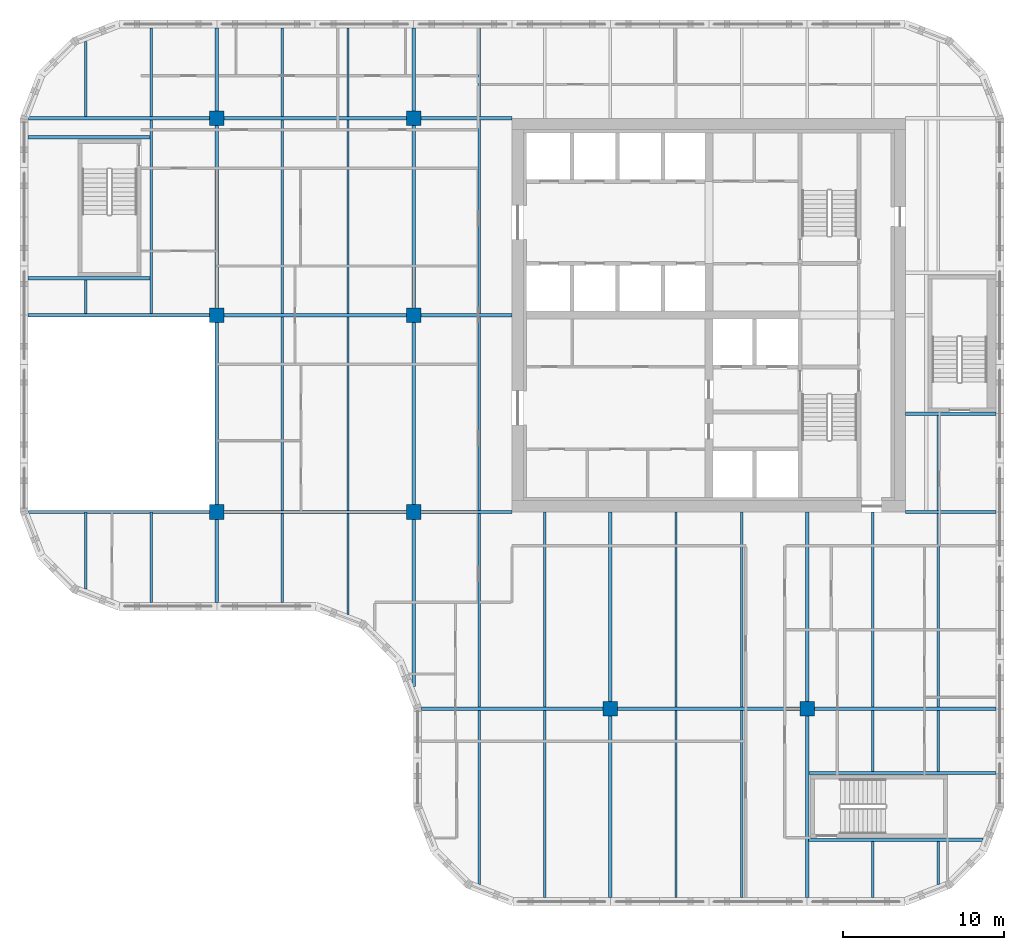
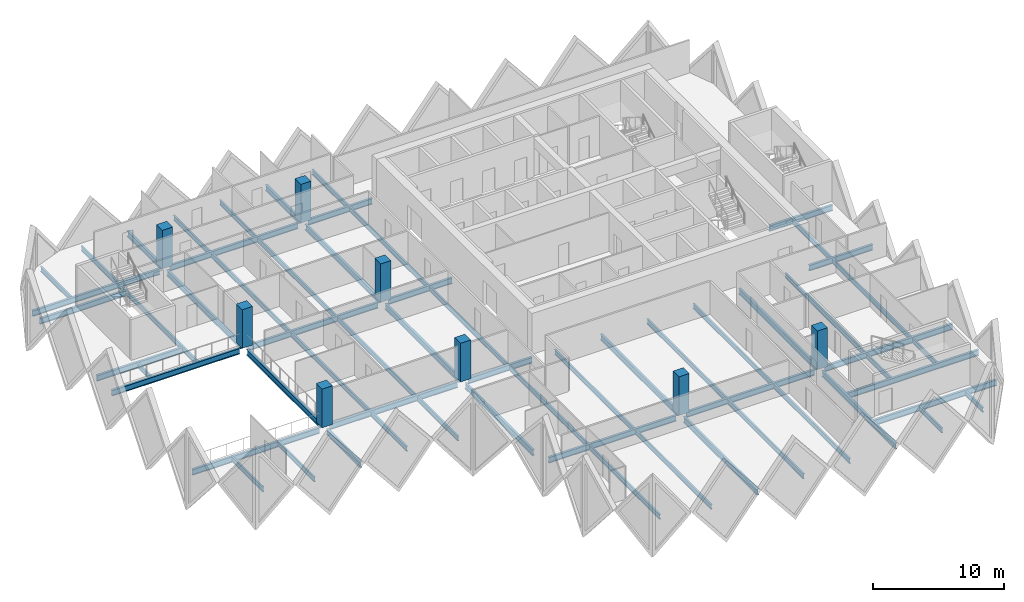
# One storey, part 1 of 12: 62 beams, 8 columns.
"""IFC4 building model written with IfcOpenShell, lengths in metres."""

from ifc_helpers import new_model, si_unit, direction, frame, origin, origin_2d, place, context, subcontext, project, spatial, rectangle, i_section, extrude, material, material_profile, profile_set, type_object, element, save


model = new_model("IFC4")

# Units and contexts
model_context = context("Model", 3, precision=1e-05, world=origin(), true_north=direction((0.0, 1.0)))
body_context = subcontext(model_context, "Body", "Model", "MODEL_VIEW")
ifc_project = project(units=[si_unit("LENGTHUNIT", "METRE"), si_unit("AREAUNIT", "SQUARE_METRE"), si_unit("VOLUMEUNIT", "CUBIC_METRE"), si_unit("PLANEANGLEUNIT", "RADIAN"), si_unit("MASSUNIT", "GRAM", prefix="KILO")], contexts=[model_context])

# Site, building, storey
site_placement = place(None, origin())
site = spatial("IfcSite", under=ifc_project, at=site_placement, CompositionType="ELEMENT")
building_placement = place(site_placement, origin())
building = spatial("IfcBuilding", under=site, at=building_placement, Name="Tessera Gate Towers", CompositionType="ELEMENT")
storey_placement = place(building_placement, frame((0.0, 0.0, 139.199951171875)))
storey = spatial("IfcBuildingStorey", under=building, at=storey_placement, Name="L34", CompositionType="ELEMENT", Elevation=139.199951171875)

# Columns
ifc_material_1 = material(Name="Concrete C70/85", Category="concrete")
ifc_material_profile_1 = material_profile(ifc_material_1, rectangle(XDim=0.89990234375, YDim=0.89990234375, at=origin_2d()), Name="RC 900x900")
ifc_profile_set_1 = profile_set([ifc_material_profile_1], Name="Concrete C70/85")
column_type = type_object("IfcColumnType", Name="COLUMN RC 900x900", PredefinedType="COLUMN", material=ifc_profile_set_1)
for number, where, z_axis, x_axis, name in (
    (1, (12.199951171875, 24.39990234375, 0.0), (0.0, 0.0, 1.0), (1.0, 0.0, 0.0), "T1-COL-2C-L34"),
    (2, (12.199951171875, 36.60009765625, 0.0), (0.0, 0.0, 1.0), (1.0, 0.0, 0.0), "T1-COL-2D-L34"),
    (3, (12.199951171875, 48.800048828125, 0.0), (0.0, 0.0, 1.0), (1.0, 0.0, 0.0), "T1-COL-2E-L34"),
    (4, (24.39990234375, 24.39990234375, 0.0), (0.0, 0.0, 1.0), (1.0, 0.0, 0.0), "T1-COL-3C-L34"),
    (5, (24.39990234375, 36.60009765625, 0.0), (0.0, 0.0, 1.0), (1.0, 0.0, 0.0), "T1-COL-3D-L34"),
    (6, (24.39990234375, 48.800048828125, 0.0), (0.0, 0.0, 1.0), (1.0, 0.0, 0.0), "T1-COL-3E-L34"),
    (7, (36.60009765625, 12.199951171875, 0.0), (0.0, 0.0, 1.0), (1.0, 0.0, 0.0), "T1-COL-4B-L34"),
    (8, (48.800048828125, 12.199951171875, 0.0), (0.0, 0.0, 1.0), (1.0, 0.0, 0.0), "T1-COL-5B-L34"),
):
    element("IfcColumn", number, at=place(storey_placement, frame(where, z_axis=z_axis, x_axis=x_axis)), inside=storey, type_object=column_type, Name=name, PredefinedType="COLUMN", context=body_context, shape_type="SweptSolid", body=[
        extrude(rectangle(XDim=0.89990234375, YDim=0.89990234375, at=origin_2d()), origin(), (0.0, 0.0, 1.0), 3.60009765625),
    ])

# Beams
ifc_material_2 = material(Name="Steel 350W", Category="steel")
ifc_material_profile_2 = material_profile(ifc_material_2, i_section(OverallWidth=0.208984375, OverallDepth=0.532958984375, WebThickness=0.01025390625, FlangeThickness=0.015625, at=origin_2d()), Name="W530x92")
ifc_profile_set_2 = profile_set([ifc_material_profile_2], Name="Steel 350W")
beam_type_1 = type_object("IfcBeamType", Name="FLOOR GIRDER W530x92", PredefinedType="BEAM", material=ifc_profile_set_2)
beam_1_placement = place(storey_placement, frame((24.89892578125, 12.199951171875, -0.466552734375), z_axis=(1.0, 0.0, 0.0), x_axis=(0.0, 1.0, 0.0)))
element("IfcBeam", 9, at=beam_1_placement, inside=storey, type_object=beam_type_1, Name="T1-GD-L34-4074", PredefinedType="BEAM", context=body_context, shape_type="SweptSolid", body=[
    extrude(i_section(OverallWidth=0.208984375, OverallDepth=0.532958984375, WebThickness=0.01025390625, FlangeThickness=0.015625, at=origin_2d()), origin(), (0.0, 0.0, 1.0), 11.2509765625),
])
beam_2_placement = place(storey_placement, frame((37.050048828125, 12.199951171875, -0.466552734375), z_axis=(1.0, 0.0, 0.0), x_axis=(0.0, 1.0, 0.0)))
element("IfcBeam", 10, at=beam_2_placement, inside=storey, type_object=beam_type_1, Name="T1-GD-L34-4075", PredefinedType="BEAM", context=body_context, shape_type="SweptSolid", body=[
    extrude(i_section(OverallWidth=0.208984375, OverallDepth=0.532958984375, WebThickness=0.01025390625, FlangeThickness=0.015625, at=origin_2d()), origin(), (0.0, 0.0, 1.0), 11.300048828125),
])
beam_3_placement = place(storey_placement, frame((49.25, 12.199951171875, -0.466552734375), z_axis=(1.0, 0.0, 0.0), x_axis=(0.0, 1.0, 0.0)))
element("IfcBeam", 11, at=beam_3_placement, inside=storey, type_object=beam_type_1, Name="T1-GD-L34-4076", PredefinedType="BEAM", context=body_context, shape_type="SweptSolid", body=[
    extrude(i_section(OverallWidth=0.208984375, OverallDepth=0.532958984375, WebThickness=0.01025390625, FlangeThickness=0.015625, at=origin_2d()), origin(), (0.0, 0.0, 1.0), 11.2509765625),
])
beam_4_placement = place(storey_placement, frame((0.534912109375, 24.39990234375, -0.466552734375), z_axis=(1.0, 0.0, 0.0), x_axis=(0.0, 1.0, 0.0)))
element("IfcBeam", 12, at=beam_4_placement, inside=storey, type_object=beam_type_1, Name="T1-GD-L34-4077", PredefinedType="BEAM", context=body_context, shape_type="SweptSolid", body=[
    extrude(i_section(OverallWidth=0.208984375, OverallDepth=0.532958984375, WebThickness=0.01025390625, FlangeThickness=0.015625, at=origin_2d()), origin(), (0.0, 0.0, 1.0), 11.215087890625),
])
beam_5_placement = place(storey_placement, frame((12.64990234375, 24.39990234375, -0.466552734375), z_axis=(1.0, 0.0, 0.0), x_axis=(0.0, 1.0, 0.0)))
element("IfcBeam", 13, at=beam_5_placement, inside=storey, type_object=beam_type_1, Name="T1-GD-L34-4078", PredefinedType="BEAM", context=body_context, shape_type="SweptSolid", body=[
    extrude(i_section(OverallWidth=0.208984375, OverallDepth=0.532958984375, WebThickness=0.01025390625, FlangeThickness=0.015625, at=origin_2d()), origin(), (0.0, 0.0, 1.0), 11.300048828125),
])
beam_6_placement = place(storey_placement, frame((24.85009765625, 24.39990234375, -0.466552734375), z_axis=(1.0, 0.0, 0.0), x_axis=(0.0, 1.0, 0.0)))
element("IfcBeam", 14, at=beam_6_placement, inside=storey, type_object=beam_type_1, Name="T1-GD-L34-4079", PredefinedType="BEAM", context=body_context, shape_type="SweptSolid", body=[
    extrude(i_section(OverallWidth=0.208984375, OverallDepth=0.532958984375, WebThickness=0.01025390625, FlangeThickness=0.015625, at=origin_2d()), origin(), (0.0, 0.0, 1.0), 5.64892578125),
])
beam_7_placement = place(storey_placement, frame((54.90087890625, 24.39990234375, -0.466552734375), z_axis=(1.0, 0.0, 0.0), x_axis=(0.0, 1.0, 0.0)))
element("IfcBeam", 15, at=beam_7_placement, inside=storey, type_object=beam_type_1, Name="T1-GD-L34-4080", PredefinedType="BEAM", context=body_context, shape_type="SweptSolid", body=[
    extrude(i_section(OverallWidth=0.208984375, OverallDepth=0.532958984375, WebThickness=0.01025390625, FlangeThickness=0.015625, at=origin_2d()), origin(), (0.0, 0.0, 1.0), 5.60009765625),
])
beam_8_placement = place(storey_placement, frame((0.4990234375, 36.60009765625, -0.466552734375), z_axis=(1.0, 0.0, 0.0), x_axis=(0.0, 1.0, 0.0)))
element("IfcBeam", 16, at=beam_8_placement, inside=storey, type_object=beam_type_1, Name="T1-GD-L34-4081", PredefinedType="BEAM", context=body_context, shape_type="SweptSolid", body=[
    extrude(i_section(OverallWidth=0.208984375, OverallDepth=0.532958984375, WebThickness=0.01025390625, FlangeThickness=0.015625, at=origin_2d()), origin(), (0.0, 0.0, 1.0), 11.2509765625),
])
beam_9_placement = place(storey_placement, frame((12.64990234375, 36.60009765625, -0.466552734375), z_axis=(1.0, 0.0, 0.0), x_axis=(0.0, 1.0, 0.0)))
element("IfcBeam", 17, at=beam_9_placement, inside=storey, type_object=beam_type_1, Name="T1-GD-L34-4082", PredefinedType="BEAM", context=body_context, shape_type="SweptSolid", body=[
    extrude(i_section(OverallWidth=0.208984375, OverallDepth=0.532958984375, WebThickness=0.01025390625, FlangeThickness=0.015625, at=origin_2d()), origin(), (0.0, 0.0, 1.0), 11.300048828125),
])
beam_10_placement = place(storey_placement, frame((24.85009765625, 36.60009765625, -0.466552734375), z_axis=(1.0, 0.0, 0.0), x_axis=(0.0, 1.0, 0.0)))
element("IfcBeam", 18, at=beam_10_placement, inside=storey, type_object=beam_type_1, Name="T1-GD-L34-4083", PredefinedType="BEAM", context=body_context, shape_type="SweptSolid", body=[
    extrude(i_section(OverallWidth=0.208984375, OverallDepth=0.532958984375, WebThickness=0.01025390625, FlangeThickness=0.015625, at=origin_2d()), origin(), (0.0, 0.0, 1.0), 5.65087890625),
])
beam_11_placement = place(storey_placement, frame((0.534912109375, 48.800048828125, -0.466552734375), z_axis=(1.0, 0.0, 0.0), x_axis=(0.0, 1.0, 0.0)))
element("IfcBeam", 19, at=beam_11_placement, inside=storey, type_object=beam_type_1, Name="T1-GD-L34-4085", PredefinedType="BEAM", context=body_context, shape_type="SweptSolid", body=[
    extrude(i_section(OverallWidth=0.208984375, OverallDepth=0.532958984375, WebThickness=0.01025390625, FlangeThickness=0.015625, at=origin_2d()), origin(), (0.0, 0.0, 1.0), 11.215087890625),
])
beam_12_placement = place(storey_placement, frame((12.64990234375, 48.800048828125, -0.466552734375), z_axis=(1.0, 0.0, 0.0), x_axis=(0.0, 1.0, 0.0)))
element("IfcBeam", 20, at=beam_12_placement, inside=storey, type_object=beam_type_1, Name="T1-GD-L34-4086", PredefinedType="BEAM", context=body_context, shape_type="SweptSolid", body=[
    extrude(i_section(OverallWidth=0.208984375, OverallDepth=0.532958984375, WebThickness=0.01025390625, FlangeThickness=0.015625, at=origin_2d()), origin(), (0.0, 0.0, 1.0), 11.300048828125),
])
beam_13_placement = place(storey_placement, frame((24.85009765625, 48.800048828125, -0.466552734375), z_axis=(1.0, 0.0, 0.0), x_axis=(0.0, 1.0, 0.0)))
element("IfcBeam", 21, at=beam_13_placement, inside=storey, type_object=beam_type_1, Name="T1-GD-L34-4087", PredefinedType="BEAM", context=body_context, shape_type="SweptSolid", body=[
    extrude(i_section(OverallWidth=0.208984375, OverallDepth=0.532958984375, WebThickness=0.01025390625, FlangeThickness=0.015625, at=origin_2d()), origin(), (0.0, 0.0, 1.0), 5.64892578125),
])
beam_14_placement = place(storey_placement, frame((12.199951171875, 18.799072265625, -0.466552734375), z_axis=(0.0, 1.0, 0.0), x_axis=(-1.0, 0.0, 0.0)))
element("IfcBeam", 22, at=beam_14_placement, inside=storey, type_object=beam_type_1, Name="T1-GD-L34-4089", PredefinedType="BEAM", context=body_context, shape_type="SweptSolid", body=[
    extrude(i_section(OverallWidth=0.208984375, OverallDepth=0.532958984375, WebThickness=0.01025390625, FlangeThickness=0.015625, at=origin_2d()), origin(), (0.0, 0.0, 1.0), 5.15087890625),
])
beam_15_placement = place(storey_placement, frame((12.199951171875, 24.85009765625, -0.466552734375), z_axis=(0.0, 1.0, 0.0), x_axis=(-1.0, 0.0, 0.0)))
element("IfcBeam", 23, at=beam_15_placement, inside=storey, type_object=beam_type_1, Name="T1-GD-L34-4090", PredefinedType="BEAM", context=body_context, shape_type="SweptSolid", body=[
    extrude(i_section(OverallWidth=0.208984375, OverallDepth=0.532958984375, WebThickness=0.01025390625, FlangeThickness=0.015625, at=origin_2d()), origin(), (0.0, 0.0, 1.0), 11.2998046875),
])
beam_16_placement = place(storey_placement, frame((12.199951171875, 37.050048828125, -0.466552734375), z_axis=(0.0, 1.0, 0.0), x_axis=(-1.0, 0.0, 0.0)))
element("IfcBeam", 24, at=beam_16_placement, inside=storey, type_object=beam_type_1, Name="T1-GD-L34-4091", PredefinedType="BEAM", context=body_context, shape_type="SweptSolid", body=[
    extrude(i_section(OverallWidth=0.208984375, OverallDepth=0.532958984375, WebThickness=0.01025390625, FlangeThickness=0.015625, at=origin_2d()), origin(), (0.0, 0.0, 1.0), 11.300048828125),
])
beam_17_placement = place(storey_placement, frame((12.199951171875, 49.25, -0.466552734375), z_axis=(0.0, 1.0, 0.0), x_axis=(-1.0, 0.0, 0.0)))
element("IfcBeam", 25, at=beam_17_placement, inside=storey, type_object=beam_type_1, Name="T1-GD-L34-4092", PredefinedType="BEAM", context=body_context, shape_type="SweptSolid", body=[
    extrude(i_section(OverallWidth=0.208984375, OverallDepth=0.532958984375, WebThickness=0.01025390625, FlangeThickness=0.015625, at=origin_2d()), origin(), (0.0, 0.0, 1.0), 5.15087890625),
])
beam_18_placement = place(storey_placement, frame((24.39990234375, 13.58642578125, -0.466552734375), z_axis=(0.0, 1.0, 0.0), x_axis=(-1.0, 0.0, 0.0)))
element("IfcBeam", 26, at=beam_18_placement, inside=storey, type_object=beam_type_1, Name="T1-GD-L34-4093", PredefinedType="BEAM", context=body_context, shape_type="SweptSolid", body=[
    extrude(i_section(OverallWidth=0.208984375, OverallDepth=0.532958984375, WebThickness=0.01025390625, FlangeThickness=0.015625, at=origin_2d()), origin(), (0.0, 0.0, 1.0), 10.363525390625),
])
beam_19_placement = place(storey_placement, frame((24.39990234375, 24.85009765625, -0.466552734375), z_axis=(0.0, 1.0, 0.0), x_axis=(-1.0, 0.0, 0.0)))
element("IfcBeam", 27, at=beam_19_placement, inside=storey, type_object=beam_type_1, Name="T1-GD-L34-4094", PredefinedType="BEAM", context=body_context, shape_type="SweptSolid", body=[
    extrude(i_section(OverallWidth=0.208984375, OverallDepth=0.532958984375, WebThickness=0.01025390625, FlangeThickness=0.015625, at=origin_2d()), origin(), (0.0, 0.0, 1.0), 11.2998046875),
])
beam_20_placement = place(storey_placement, frame((24.39990234375, 37.050048828125, -0.466552734375), z_axis=(0.0, 1.0, 0.0), x_axis=(-1.0, 0.0, 0.0)))
element("IfcBeam", 28, at=beam_20_placement, inside=storey, type_object=beam_type_1, Name="T1-GD-L34-4095", PredefinedType="BEAM", context=body_context, shape_type="SweptSolid", body=[
    extrude(i_section(OverallWidth=0.208984375, OverallDepth=0.532958984375, WebThickness=0.01025390625, FlangeThickness=0.015625, at=origin_2d()), origin(), (0.0, 0.0, 1.0), 11.300048828125),
])
beam_21_placement = place(storey_placement, frame((24.39990234375, 49.25, -0.466552734375), z_axis=(0.0, 1.0, 0.0), x_axis=(-1.0, 0.0, 0.0)))
element("IfcBeam", 29, at=beam_21_placement, inside=storey, type_object=beam_type_1, Name="T1-GD-L34-4096", PredefinedType="BEAM", context=body_context, shape_type="SweptSolid", body=[
    extrude(i_section(OverallWidth=0.208984375, OverallDepth=0.532958984375, WebThickness=0.01025390625, FlangeThickness=0.015625, at=origin_2d()), origin(), (0.0, 0.0, 1.0), 5.15087890625),
])
beam_22_placement = place(storey_placement, frame((36.60009765625, 0.4990234375, -0.466552734375), z_axis=(0.0, 1.0, 0.0), x_axis=(-1.0, 0.0, 0.0)))
element("IfcBeam", 30, at=beam_22_placement, inside=storey, type_object=beam_type_1, Name="T1-GD-L34-4097", PredefinedType="BEAM", context=body_context, shape_type="SweptSolid", body=[
    extrude(i_section(OverallWidth=0.208984375, OverallDepth=0.532958984375, WebThickness=0.01025390625, FlangeThickness=0.015625, at=origin_2d()), origin(), (0.0, 0.0, 1.0), 11.2509765625),
])
beam_23_placement = place(storey_placement, frame((36.60009765625, 12.64990234375, -0.466552734375), z_axis=(0.0, 1.0, 0.0), x_axis=(-1.0, 0.0, 0.0)))
element("IfcBeam", 31, at=beam_23_placement, inside=storey, type_object=beam_type_1, Name="T1-GD-L34-4098", PredefinedType="BEAM", context=body_context, shape_type="SweptSolid", body=[
    extrude(i_section(OverallWidth=0.208984375, OverallDepth=0.532958984375, WebThickness=0.01025390625, FlangeThickness=0.015625, at=origin_2d()), origin(), (0.0, 0.0, 1.0), 11.75),
])
beam_24_placement = place(storey_placement, frame((48.800048828125, 0.4990234375, -0.466552734375), z_axis=(0.0, 1.0, 0.0), x_axis=(-1.0, 0.0, 0.0)))
element("IfcBeam", 32, at=beam_24_placement, inside=storey, type_object=beam_type_1, Name="T1-GD-L34-4099", PredefinedType="BEAM", context=body_context, shape_type="SweptSolid", body=[
    extrude(i_section(OverallWidth=0.208984375, OverallDepth=0.532958984375, WebThickness=0.01025390625, FlangeThickness=0.015625, at=origin_2d()), origin(), (0.0, 0.0, 1.0), 11.2509765625),
])
beam_25_placement = place(storey_placement, frame((48.800048828125, 12.64990234375, -0.466552734375), z_axis=(0.0, 1.0, 0.0), x_axis=(-1.0, 0.0, 0.0)))
element("IfcBeam", 33, at=beam_25_placement, inside=storey, type_object=beam_type_1, Name="T1-GD-L34-4100", PredefinedType="BEAM", context=body_context, shape_type="SweptSolid", body=[
    extrude(i_section(OverallWidth=0.208984375, OverallDepth=0.532958984375, WebThickness=0.01025390625, FlangeThickness=0.015625, at=origin_2d()), origin(), (0.0, 0.0, 1.0), 11.75),
])
for number, where, z_axis, x_axis, name in (
    (34, (0.4990234375, 38.8798828125, -0.466552734375), (1.0, 0.0, 0.0), (0.0, 1.0, 0.0), "T1-GD-L34-4101"),
    (35, (0.4990234375, 47.6201171875, -0.466552734375), (1.0, 0.0, 0.0), (0.0, 1.0, 0.0), "T1-GD-L34-4102"),
):
    element("IfcBeam", number, at=place(storey_placement, frame(where, z_axis=z_axis, x_axis=x_axis)), inside=storey, type_object=beam_type_1, Name=name, PredefinedType="BEAM", context=body_context, shape_type="SweptSolid", body=[
        extrude(i_section(OverallWidth=0.208984375, OverallDepth=0.532958984375, WebThickness=0.01025390625, FlangeThickness=0.015625, at=origin_2d()), origin(), (0.0, 0.0, 1.0), 7.557861328125),
    ])
beam_26_placement = place(storey_placement, frame((48.87646484375, 4.080078125, -0.466552734375), z_axis=(1.0, 0.0, 0.0), x_axis=(0.0, 1.0, 0.0)))
element("IfcBeam", 36, at=beam_26_placement, inside=storey, type_object=beam_type_1, Name="T1-GD-L34-4103", PredefinedType="BEAM", context=body_context, shape_type="SweptSolid", body=[
    extrude(i_section(OverallWidth=0.208984375, OverallDepth=0.532958984375, WebThickness=0.01025390625, FlangeThickness=0.015625, at=origin_2d()), origin(), (0.0, 0.0, 1.0), 10.809326171875),
])
beam_27_placement = place(storey_placement, frame((48.87646484375, 8.219970703125, -0.466552734375), z_axis=(1.0, 0.0, 0.0), x_axis=(0.0, 1.0, 0.0)))
element("IfcBeam", 37, at=beam_27_placement, inside=storey, type_object=beam_type_1, Name="T1-GD-L34-4104", PredefinedType="BEAM", context=body_context, shape_type="SweptSolid", body=[
    extrude(i_section(OverallWidth=0.208984375, OverallDepth=0.532958984375, WebThickness=0.01025390625, FlangeThickness=0.015625, at=origin_2d()), origin(), (0.0, 0.0, 1.0), 11.62451171875),
])
beam_28_placement = place(storey_placement, frame((54.89892578125, 30.47998046875, -0.466552734375), z_axis=(1.0, 0.0, 0.0), x_axis=(0.0, 1.0, 0.0)))
element("IfcBeam", 38, at=beam_28_placement, inside=storey, type_object=beam_type_1, Name="T1-GD-L34-4105", PredefinedType="BEAM", context=body_context, shape_type="SweptSolid", body=[
    extrude(i_section(OverallWidth=0.208984375, OverallDepth=0.532958984375, WebThickness=0.01025390625, FlangeThickness=0.015625, at=origin_2d()), origin(), (0.0, 0.0, 1.0), 5.60205078125),
])
ifc_material_3 = material(Name="Steel 350W", Category="steel")
ifc_material_profile_3 = material_profile(ifc_material_3, i_section(OverallWidth=0.153076171875, OverallDepth=0.455078125, WebThickness=0.008056640625, FlangeThickness=0.01318359375, at=origin_2d()), Name="W460x60")
ifc_profile_set_3 = profile_set([ifc_material_profile_3], Name="Steel 350W")
beam_type_2 = type_object("IfcBeamType", Name="FLOOR SECONDARY W460x60", PredefinedType="BEAM", material=ifc_profile_set_3)
beam_29_placement = place(storey_placement, frame((4.066650390625, 19.620361328125, -0.427490234375), z_axis=(0.0, 1.0, 0.0), x_axis=(-1.0, 0.0, 0.0)))
element("IfcBeam", 39, at=beam_29_placement, inside=storey, type_object=beam_type_2, Name="T1-BM-L34-4108", PredefinedType="BEAM", context=body_context, shape_type="SweptSolid", body=[
    extrude(i_section(OverallWidth=0.153076171875, OverallDepth=0.455078125, WebThickness=0.008056640625, FlangeThickness=0.01318359375, at=origin_2d()), origin(), (0.0, 0.0, 1.0), 4.779541015625),
])
beam_30_placement = place(storey_placement, frame((4.066650390625, 36.70458984375, -0.427490234375), z_axis=(0.0, 1.0, 0.0), x_axis=(-1.0, 0.0, 0.0)))
element("IfcBeam", 40, at=beam_30_placement, inside=storey, type_object=beam_type_2, Name="T1-BM-L34-4109", PredefinedType="BEAM", context=body_context, shape_type="SweptSolid", body=[
    extrude(i_section(OverallWidth=0.153076171875, OverallDepth=0.455078125, WebThickness=0.008056640625, FlangeThickness=0.01318359375, at=origin_2d()), origin(), (0.0, 0.0, 1.0), 2.07080078125),
])
beam_31_placement = place(storey_placement, frame((4.066650390625, 48.904541015625, -0.427490234375), z_axis=(0.0, 1.0, 0.0), x_axis=(-1.0, 0.0, 0.0)))
element("IfcBeam", 41, at=beam_31_placement, inside=storey, type_object=beam_type_2, Name="T1-BM-L34-4110", PredefinedType="BEAM", context=body_context, shape_type="SweptSolid", body=[
    extrude(i_section(OverallWidth=0.153076171875, OverallDepth=0.455078125, WebThickness=0.008056640625, FlangeThickness=0.01318359375, at=origin_2d()), origin(), (0.0, 0.0, 1.0), 4.675048828125),
])
beam_32_placement = place(storey_placement, frame((8.13330078125, 18.800048828125, -0.427490234375), z_axis=(0.0, 1.0, 0.0), x_axis=(-1.0, 0.0, 0.0)))
element("IfcBeam", 42, at=beam_32_placement, inside=storey, type_object=beam_type_2, Name="T1-BM-L34-4111", PredefinedType="BEAM", context=body_context, shape_type="SweptSolid", body=[
    extrude(i_section(OverallWidth=0.153076171875, OverallDepth=0.455078125, WebThickness=0.008056640625, FlangeThickness=0.01318359375, at=origin_2d()), origin(), (0.0, 0.0, 1.0), 5.599853515625),
])
beam_33_placement = place(storey_placement, frame((8.13330078125, 36.70458984375, -0.427490234375), z_axis=(0.0, 1.0, 0.0), x_axis=(-1.0, 0.0, 0.0)))
element("IfcBeam", 43, at=beam_33_placement, inside=storey, type_object=beam_type_2, Name="T1-BM-L34-4112", PredefinedType="BEAM", context=body_context, shape_type="SweptSolid", body=[
    extrude(i_section(OverallWidth=0.153076171875, OverallDepth=0.455078125, WebThickness=0.008056640625, FlangeThickness=0.01318359375, at=origin_2d()), origin(), (0.0, 0.0, 1.0), 11.990966796875),
])
for number, where, z_axis, x_axis, name in (
    (44, (8.13330078125, 48.904541015625, -0.427490234375), (0.0, 1.0, 0.0), (-1.0, 0.0, 0.0), "T1-BM-L34-4113"),
    (45, (16.2666015625, 18.800048828125, -0.427490234375), (0.0, 1.0, 0.0), (-1.0, 0.0, 0.0), "T1-BM-L34-4114"),
):
    element("IfcBeam", number, at=place(storey_placement, frame(where, z_axis=z_axis, x_axis=x_axis)), inside=storey, type_object=beam_type_2, Name=name, PredefinedType="BEAM", context=body_context, shape_type="SweptSolid", body=[
        extrude(i_section(OverallWidth=0.153076171875, OverallDepth=0.455078125, WebThickness=0.008056640625, FlangeThickness=0.01318359375, at=origin_2d()), origin(), (0.0, 0.0, 1.0), 5.495361328125),
    ])
beam_34_placement = place(storey_placement, frame((16.2666015625, 24.50439453125, -0.427490234375), z_axis=(0.0, 1.0, 0.0), x_axis=(-1.0, 0.0, 0.0)))
element("IfcBeam", 46, at=beam_34_placement, inside=storey, type_object=beam_type_2, Name="T1-BM-L34-4115", PredefinedType="BEAM", context=body_context, shape_type="SweptSolid", body=[
    extrude(i_section(OverallWidth=0.153076171875, OverallDepth=0.455078125, WebThickness=0.008056640625, FlangeThickness=0.01318359375, at=origin_2d()), origin(), (0.0, 0.0, 1.0), 11.9912109375),
])
beam_35_placement = place(storey_placement, frame((16.2666015625, 36.70458984375, -0.427490234375), z_axis=(0.0, 1.0, 0.0), x_axis=(-1.0, 0.0, 0.0)))
element("IfcBeam", 47, at=beam_35_placement, inside=storey, type_object=beam_type_2, Name="T1-BM-L34-4116", PredefinedType="BEAM", context=body_context, shape_type="SweptSolid", body=[
    extrude(i_section(OverallWidth=0.153076171875, OverallDepth=0.455078125, WebThickness=0.008056640625, FlangeThickness=0.01318359375, at=origin_2d()), origin(), (0.0, 0.0, 1.0), 11.990966796875),
])
beam_36_placement = place(storey_placement, frame((16.2666015625, 48.904541015625, -0.427490234375), z_axis=(0.0, 1.0, 0.0), x_axis=(-1.0, 0.0, 0.0)))
element("IfcBeam", 48, at=beam_36_placement, inside=storey, type_object=beam_type_2, Name="T1-BM-L34-4117", PredefinedType="BEAM", context=body_context, shape_type="SweptSolid", body=[
    extrude(i_section(OverallWidth=0.153076171875, OverallDepth=0.455078125, WebThickness=0.008056640625, FlangeThickness=0.01318359375, at=origin_2d()), origin(), (0.0, 0.0, 1.0), 5.495361328125),
])
beam_37_placement = place(storey_placement, frame((20.333251953125, 18.051513671875, -0.427490234375), z_axis=(0.0, 1.0, 0.0), x_axis=(-1.0, 0.0, 0.0)))
element("IfcBeam", 49, at=beam_37_placement, inside=storey, type_object=beam_type_2, Name="T1-BM-L34-4118", PredefinedType="BEAM", context=body_context, shape_type="SweptSolid", body=[
    extrude(i_section(OverallWidth=0.153076171875, OverallDepth=0.455078125, WebThickness=0.008056640625, FlangeThickness=0.01318359375, at=origin_2d()), origin(), (0.0, 0.0, 1.0), 6.243896484375),
])
beam_38_placement = place(storey_placement, frame((20.333251953125, 24.50439453125, -0.427490234375), z_axis=(0.0, 1.0, 0.0), x_axis=(-1.0, 0.0, 0.0)))
element("IfcBeam", 50, at=beam_38_placement, inside=storey, type_object=beam_type_2, Name="T1-BM-L34-4119", PredefinedType="BEAM", context=body_context, shape_type="SweptSolid", body=[
    extrude(i_section(OverallWidth=0.153076171875, OverallDepth=0.455078125, WebThickness=0.008056640625, FlangeThickness=0.01318359375, at=origin_2d()), origin(), (0.0, 0.0, 1.0), 11.9912109375),
])
beam_39_placement = place(storey_placement, frame((20.333251953125, 36.70458984375, -0.427490234375), z_axis=(0.0, 1.0, 0.0), x_axis=(-1.0, 0.0, 0.0)))
element("IfcBeam", 51, at=beam_39_placement, inside=storey, type_object=beam_type_2, Name="T1-BM-L34-4120", PredefinedType="BEAM", context=body_context, shape_type="SweptSolid", body=[
    extrude(i_section(OverallWidth=0.153076171875, OverallDepth=0.455078125, WebThickness=0.008056640625, FlangeThickness=0.01318359375, at=origin_2d()), origin(), (0.0, 0.0, 1.0), 11.990966796875),
])
beam_40_placement = place(storey_placement, frame((20.333251953125, 48.904541015625, -0.427490234375), z_axis=(0.0, 1.0, 0.0), x_axis=(-1.0, 0.0, 0.0)))
element("IfcBeam", 52, at=beam_40_placement, inside=storey, type_object=beam_type_2, Name="T1-BM-L34-4121", PredefinedType="BEAM", context=body_context, shape_type="SweptSolid", body=[
    extrude(i_section(OverallWidth=0.153076171875, OverallDepth=0.455078125, WebThickness=0.008056640625, FlangeThickness=0.01318359375, at=origin_2d()), origin(), (0.0, 0.0, 1.0), 5.495361328125),
])
beam_41_placement = place(storey_placement, frame((28.466796875, 1.3203125, -0.427490234375), z_axis=(0.0, 1.0, 0.0), x_axis=(-1.0, 0.0, 0.0)))
element("IfcBeam", 53, at=beam_41_placement, inside=storey, type_object=beam_type_2, Name="T1-BM-L34-4122", PredefinedType="BEAM", context=body_context, shape_type="SweptSolid", body=[
    extrude(i_section(OverallWidth=0.153076171875, OverallDepth=0.455078125, WebThickness=0.008056640625, FlangeThickness=0.01318359375, at=origin_2d()), origin(), (0.0, 0.0, 1.0), 10.775146484375),
])
beam_42_placement = place(storey_placement, frame((28.466796875, 12.304443359375, -0.427490234375), z_axis=(0.0, 1.0, 0.0), x_axis=(-1.0, 0.0, 0.0)))
element("IfcBeam", 54, at=beam_42_placement, inside=storey, type_object=beam_type_2, Name="T1-BM-L34-4123", PredefinedType="BEAM", context=body_context, shape_type="SweptSolid", body=[
    extrude(i_section(OverallWidth=0.153076171875, OverallDepth=0.455078125, WebThickness=0.008056640625, FlangeThickness=0.01318359375, at=origin_2d()), origin(), (0.0, 0.0, 1.0), 11.990966796875),
])
beam_43_placement = place(storey_placement, frame((28.466796875, 24.50439453125, -0.427490234375), z_axis=(0.0, 1.0, 0.0), x_axis=(-1.0, 0.0, 0.0)))
element("IfcBeam", 55, at=beam_43_placement, inside=storey, type_object=beam_type_2, Name="T1-BM-L34-4124", PredefinedType="BEAM", context=body_context, shape_type="SweptSolid", body=[
    extrude(i_section(OverallWidth=0.153076171875, OverallDepth=0.455078125, WebThickness=0.008056640625, FlangeThickness=0.01318359375, at=origin_2d()), origin(), (0.0, 0.0, 1.0), 11.9912109375),
])
beam_44_placement = place(storey_placement, frame((28.466796875, 36.70458984375, -0.427490234375), z_axis=(0.0, 1.0, 0.0), x_axis=(-1.0, 0.0, 0.0)))
element("IfcBeam", 56, at=beam_44_placement, inside=storey, type_object=beam_type_2, Name="T1-BM-L34-4125", PredefinedType="BEAM", context=body_context, shape_type="SweptSolid", body=[
    extrude(i_section(OverallWidth=0.153076171875, OverallDepth=0.455078125, WebThickness=0.008056640625, FlangeThickness=0.01318359375, at=origin_2d()), origin(), (0.0, 0.0, 1.0), 11.990966796875),
])
beam_45_placement = place(storey_placement, frame((28.466796875, 48.904541015625, -0.427490234375), z_axis=(0.0, 1.0, 0.0), x_axis=(-1.0, 0.0, 0.0)))
element("IfcBeam", 57, at=beam_45_placement, inside=storey, type_object=beam_type_2, Name="T1-BM-L34-4126", PredefinedType="BEAM", context=body_context, shape_type="SweptSolid", body=[
    extrude(i_section(OverallWidth=0.153076171875, OverallDepth=0.455078125, WebThickness=0.008056640625, FlangeThickness=0.01318359375, at=origin_2d()), origin(), (0.0, 0.0, 1.0), 5.495361328125),
])
beam_46_placement = place(storey_placement, frame((32.533203125, 0.5, -0.427490234375), z_axis=(0.0, 1.0, 0.0), x_axis=(-1.0, 0.0, 0.0)))
element("IfcBeam", 58, at=beam_46_placement, inside=storey, type_object=beam_type_2, Name="T1-BM-L34-4127", PredefinedType="BEAM", context=body_context, shape_type="SweptSolid", body=[
    extrude(i_section(OverallWidth=0.153076171875, OverallDepth=0.455078125, WebThickness=0.008056640625, FlangeThickness=0.01318359375, at=origin_2d()), origin(), (0.0, 0.0, 1.0), 11.595458984375),
])
beam_47_placement = place(storey_placement, frame((32.533203125, 12.304443359375, -0.427490234375), z_axis=(0.0, 1.0, 0.0), x_axis=(-1.0, 0.0, 0.0)))
element("IfcBeam", 59, at=beam_47_placement, inside=storey, type_object=beam_type_2, Name="T1-BM-L34-4128", PredefinedType="BEAM", context=body_context, shape_type="SweptSolid", body=[
    extrude(i_section(OverallWidth=0.153076171875, OverallDepth=0.455078125, WebThickness=0.008056640625, FlangeThickness=0.01318359375, at=origin_2d()), origin(), (0.0, 0.0, 1.0), 12.095458984375),
])
beam_48_placement = place(storey_placement, frame((40.666748046875, 0.5, -0.427490234375), z_axis=(0.0, 1.0, 0.0), x_axis=(-1.0, 0.0, 0.0)))
element("IfcBeam", 60, at=beam_48_placement, inside=storey, type_object=beam_type_2, Name="T1-BM-L34-4131", PredefinedType="BEAM", context=body_context, shape_type="SweptSolid", body=[
    extrude(i_section(OverallWidth=0.153076171875, OverallDepth=0.455078125, WebThickness=0.008056640625, FlangeThickness=0.01318359375, at=origin_2d()), origin(), (0.0, 0.0, 1.0), 11.595458984375),
])
beam_49_placement = place(storey_placement, frame((40.666748046875, 12.304443359375, -0.427490234375), z_axis=(0.0, 1.0, 0.0), x_axis=(-1.0, 0.0, 0.0)))
element("IfcBeam", 61, at=beam_49_placement, inside=storey, type_object=beam_type_2, Name="T1-BM-L34-4132", PredefinedType="BEAM", context=body_context, shape_type="SweptSolid", body=[
    extrude(i_section(OverallWidth=0.153076171875, OverallDepth=0.455078125, WebThickness=0.008056640625, FlangeThickness=0.01318359375, at=origin_2d()), origin(), (0.0, 0.0, 1.0), 12.095458984375),
])
beam_50_placement = place(storey_placement, frame((44.7333984375, 0.5, -0.427490234375), z_axis=(0.0, 1.0, 0.0), x_axis=(-1.0, 0.0, 0.0)))
element("IfcBeam", 62, at=beam_50_placement, inside=storey, type_object=beam_type_2, Name="T1-BM-L34-4134", PredefinedType="BEAM", context=body_context, shape_type="SweptSolid", body=[
    extrude(i_section(OverallWidth=0.153076171875, OverallDepth=0.455078125, WebThickness=0.008056640625, FlangeThickness=0.01318359375, at=origin_2d()), origin(), (0.0, 0.0, 1.0), 11.595458984375),
])
beam_51_placement = place(storey_placement, frame((44.7333984375, 12.304443359375, -0.427490234375), z_axis=(0.0, 1.0, 0.0), x_axis=(-1.0, 0.0, 0.0)))
element("IfcBeam", 63, at=beam_51_placement, inside=storey, type_object=beam_type_2, Name="T1-BM-L34-4135", PredefinedType="BEAM", context=body_context, shape_type="SweptSolid", body=[
    extrude(i_section(OverallWidth=0.153076171875, OverallDepth=0.455078125, WebThickness=0.008056640625, FlangeThickness=0.01318359375, at=origin_2d()), origin(), (0.0, 0.0, 1.0), 12.095458984375),
])
beam_52_placement = place(storey_placement, frame((52.86669921875, 0.5, -0.427490234375), z_axis=(0.0, 1.0, 0.0), x_axis=(-1.0, 0.0, 0.0)))
element("IfcBeam", 64, at=beam_52_placement, inside=storey, type_object=beam_type_2, Name="T1-BM-L34-4138", PredefinedType="BEAM", context=body_context, shape_type="SweptSolid", body=[
    extrude(i_section(OverallWidth=0.153076171875, OverallDepth=0.455078125, WebThickness=0.008056640625, FlangeThickness=0.01318359375, at=origin_2d()), origin(), (0.0, 0.0, 1.0), 3.4755859375),
])
beam_53_placement = place(storey_placement, frame((52.86669921875, 8.324462890625, -0.427490234375), z_axis=(0.0, 1.0, 0.0), x_axis=(-1.0, 0.0, 0.0)))
element("IfcBeam", 65, at=beam_53_placement, inside=storey, type_object=beam_type_2, Name="T1-BM-L34-4139", PredefinedType="BEAM", context=body_context, shape_type="SweptSolid", body=[
    extrude(i_section(OverallWidth=0.153076171875, OverallDepth=0.455078125, WebThickness=0.008056640625, FlangeThickness=0.01318359375, at=origin_2d()), origin(), (0.0, 0.0, 1.0), 3.77099609375),
])
beam_54_placement = place(storey_placement, frame((52.86669921875, 12.304443359375, -0.427490234375), z_axis=(0.0, 1.0, 0.0), x_axis=(-1.0, 0.0, 0.0)))
element("IfcBeam", 66, at=beam_54_placement, inside=storey, type_object=beam_type_2, Name="T1-BM-L34-4140", PredefinedType="BEAM", context=body_context, shape_type="SweptSolid", body=[
    extrude(i_section(OverallWidth=0.153076171875, OverallDepth=0.455078125, WebThickness=0.008056640625, FlangeThickness=0.01318359375, at=origin_2d()), origin(), (0.0, 0.0, 1.0), 12.095458984375),
])
beam_55_placement = place(storey_placement, frame((56.933349609375, 1.3203125, -0.427490234375), z_axis=(0.0, 1.0, 0.0), x_axis=(-1.0, 0.0, 0.0)))
element("IfcBeam", 67, at=beam_55_placement, inside=storey, type_object=beam_type_2, Name="T1-BM-L34-4142", PredefinedType="BEAM", context=body_context, shape_type="SweptSolid", body=[
    extrude(i_section(OverallWidth=0.153076171875, OverallDepth=0.455078125, WebThickness=0.008056640625, FlangeThickness=0.01318359375, at=origin_2d()), origin(), (0.0, 0.0, 1.0), 2.6552734375),
])
beam_56_placement = place(storey_placement, frame((56.933349609375, 8.324462890625, -0.427490234375), z_axis=(0.0, 1.0, 0.0), x_axis=(-1.0, 0.0, 0.0)))
element("IfcBeam", 68, at=beam_56_placement, inside=storey, type_object=beam_type_2, Name="T1-BM-L34-4143", PredefinedType="BEAM", context=body_context, shape_type="SweptSolid", body=[
    extrude(i_section(OverallWidth=0.153076171875, OverallDepth=0.455078125, WebThickness=0.008056640625, FlangeThickness=0.01318359375, at=origin_2d()), origin(), (0.0, 0.0, 1.0), 3.77099609375),
])
beam_57_placement = place(storey_placement, frame((56.933349609375, 12.304443359375, -0.427490234375), z_axis=(0.0, 1.0, 0.0), x_axis=(-1.0, 0.0, 0.0)))
element("IfcBeam", 69, at=beam_57_placement, inside=storey, type_object=beam_type_2, Name="T1-BM-L34-4144", PredefinedType="BEAM", context=body_context, shape_type="SweptSolid", body=[
    extrude(i_section(OverallWidth=0.153076171875, OverallDepth=0.455078125, WebThickness=0.008056640625, FlangeThickness=0.01318359375, at=origin_2d()), origin(), (0.0, 0.0, 1.0), 11.990966796875),
])
beam_58_placement = place(storey_placement, frame((56.933349609375, 24.50439453125, -0.427490234375), z_axis=(0.0, 1.0, 0.0), x_axis=(-1.0, 0.0, 0.0)))
element("IfcBeam", 70, at=beam_58_placement, inside=storey, type_object=beam_type_2, Name="T1-BM-L34-4145", PredefinedType="BEAM", context=body_context, shape_type="SweptSolid", body=[
    extrude(i_section(OverallWidth=0.153076171875, OverallDepth=0.455078125, WebThickness=0.008056640625, FlangeThickness=0.01318359375, at=origin_2d()), origin(), (0.0, 0.0, 1.0), 5.87109375),
])

save(model, "model.ifc")
